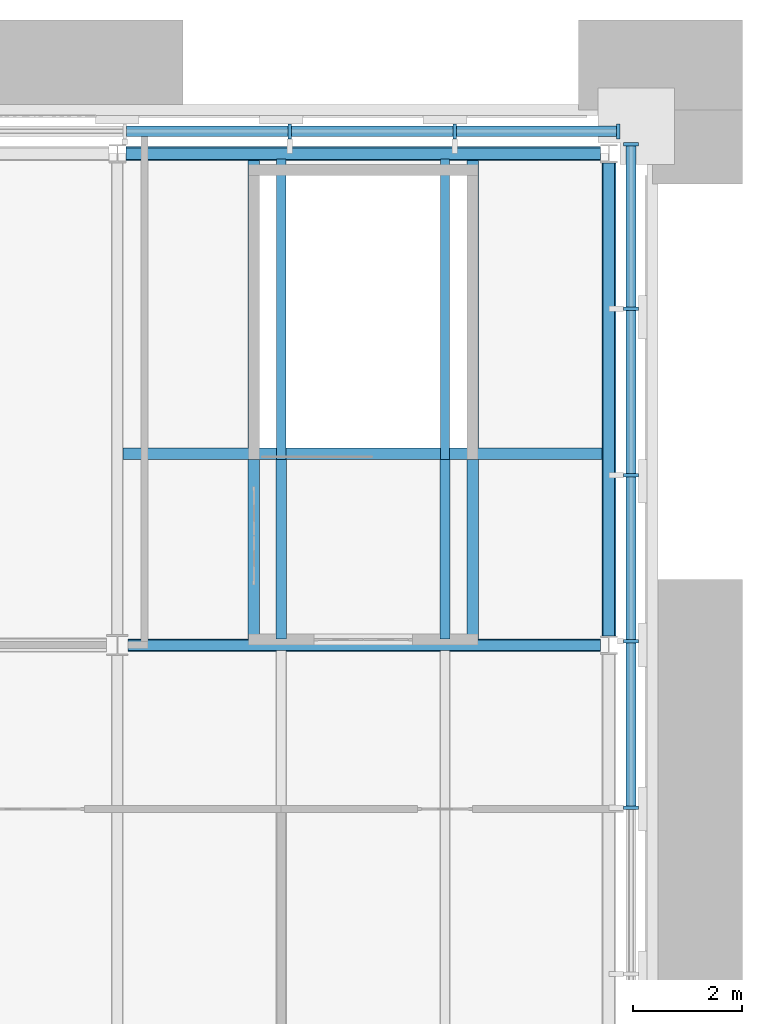
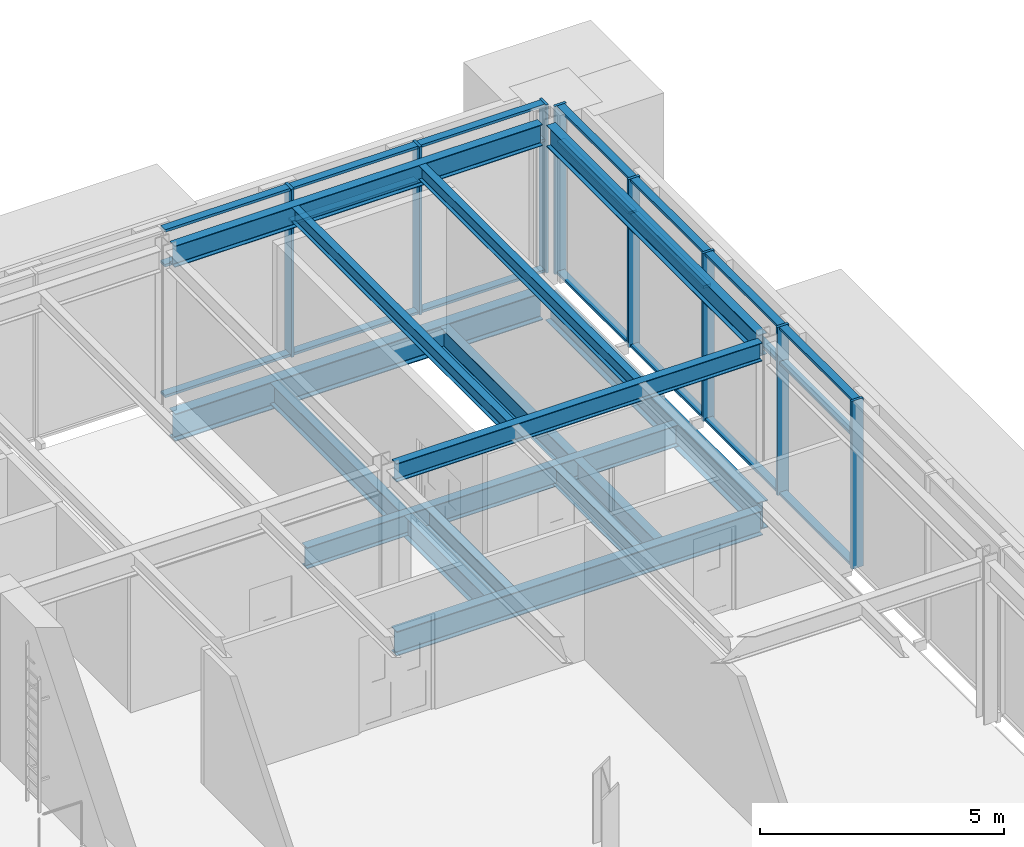
# One storey, part 9 of 24: 29 members, 15 beams, 2 elements without a shape of their own.
"""IFC4 building model written with IfcOpenShell, lengths in metres."""

import ifcopenshell
import ifcopenshell.guid

model = None  # the IFC model being written
_history = None  # IfcOwnerHistory: only IFC2X3 demands one
_inside = {}  # id of a spatial element -> (the spatial element, [elements in it])
_under = {}  # id of a project, library or spatial element -> (it, [spatial elements below it])
_declared = {}  # id of a project -> (the project, [libraries it declares])
_typed = {}  # id of a type object -> (the type object, [elements of that type])
_made_of = {}  # id of a material, layer set ... -> (it, [elements and type objects made of it])


def new_model(schema):
    """Start an empty IFC model of exactly this schema.

    Asked for "IFC4X3", IfcOpenShell would pick the latest addendum, in which some entities
    have other attributes; the version numbers below select the first issue.
    IFC2X3 requires an IfcOwnerHistory on every rooted entity: one is made here for all.
    """
    global model, _history
    if schema == "IFC4X3":
        model = ifcopenshell.file(schema_version=(4, 3, 0, 0))
    else:
        model = ifcopenshell.file(schema=schema)
    _inside.clear()
    _under.clear()
    _declared.clear()
    _typed.clear()
    _made_of.clear()
    _history = None
    if model.schema == "IFC2X3":
        org = make("IfcOrganization", Name="unknown")
        user = make(
            "IfcPersonAndOrganization",
            ThePerson=make("IfcPerson", FamilyName="unknown"),
            TheOrganization=org,
        )
        app = make(
            "IfcApplication",
            ApplicationDeveloper=org,
            Version="unknown",
            ApplicationFullName="unknown",
            ApplicationIdentifier="unknown",
        )
        _history = make(
            "IfcOwnerHistory",
            OwningUser=user,
            OwningApplication=app,
            ChangeAction="ADDED",
            CreationDate=0,
        )
    return model


def make(cls, **values):
    """One entity of the class cls with the attributes given. An attribute that is None is left unset."""
    return model.create_entity(
        cls, **{name: value for name, value in values.items() if value is not None}
    )


def rooted(cls, **values):
    """An entity with a GlobalId (a new one), such as an element, a storey or a relation."""
    return make(cls, GlobalId=ifcopenshell.guid.new(), OwnerHistory=_history, **values)


def si_unit(unit_type, name, prefix=None):
    """IfcSIUnit, for example si_unit("LENGTHUNIT", "METRE", prefix="MILLI")."""
    return make("IfcSIUnit", UnitType=unit_type, Prefix=prefix, Name=name)


def assignment(units):
    """IfcUnitAssignment: the units of a project."""
    return None if units is None else make("IfcUnitAssignment", Units=units)


def point(xyz):
    """IfcCartesianPoint."""
    return None if xyz is None else make("IfcCartesianPoint", Coordinates=xyz)


def direction(xyz):
    """IfcDirection."""
    return None if xyz is None else make("IfcDirection", DirectionRatios=xyz)


def frame(location, z_axis=None, x_axis=None):
    """IfcAxis2Placement3D, a coordinate frame: its origin and axes. An axis left out is left unset."""
    return make(
        "IfcAxis2Placement3D",
        Location=point(location),
        Axis=direction(z_axis),
        RefDirection=direction(x_axis),
    )


def frame_2d(location, x_axis=None):
    """IfcAxis2Placement2D, a coordinate frame in the plane: its origin and x axis."""
    return make(
        "IfcAxis2Placement2D", Location=point(location), RefDirection=direction(x_axis)
    )


def origin():
    """The frame at (0, 0, 0) with its axes left unset."""
    return frame((0.0, 0.0, 0.0))


def origin_2d():
    """The frame at (0, 0) in the plane with its x axis left unset."""
    return frame_2d((0.0, 0.0))


def place(relative_to, where):
    """IfcLocalPlacement: puts the frame where relative to a parent placement (None: the world)."""
    return make(
        "IfcLocalPlacement", PlacementRelTo=relative_to, RelativePlacement=where
    )


def context(
    kind, dimensions, precision=None, world=None, true_north=None, identifier=None
):
    """IfcGeometricRepresentationContext, for example the 3D "Model" context."""
    return make(
        "IfcGeometricRepresentationContext",
        ContextIdentifier=identifier,
        ContextType=kind,
        CoordinateSpaceDimension=dimensions,
        Precision=precision,
        WorldCoordinateSystem=world,
        TrueNorth=true_north,
    )


def subcontext(parent, identifier, kind, view, scale=None):
    """IfcGeometricRepresentationSubContext, for example "Body" below "Model"."""
    return make(
        "IfcGeometricRepresentationSubContext",
        ContextIdentifier=identifier,
        ContextType=kind,
        ParentContext=parent,
        TargetScale=scale,
        TargetView=view,
    )


def project(units=None, contexts=None):
    """IfcProject with its units and contexts."""
    return rooted(
        "IfcProject",
        Name="project",
        RepresentationContexts=contexts,
        UnitsInContext=assignment(units),
    )


def spatial(cls, under=None, at=None, **own):
    """A site, building, storey or space (cls), placed at a placement, below another one or the project."""
    s = rooted(cls, ObjectPlacement=at, **own)
    if under is not None:
        _under.setdefault(under.id(), (under, []))[1].append(s)
    return s


def profile(cls, at=None, kind="AREA", **sizes):
    """A parametric profile (cls). Its sizes go by their IFC names, for example OverallWidth=200.0."""
    return make(cls, ProfileType=kind, Position=at, **sizes)


def rectangle(**sizes):
    """IfcRectangleProfileDef."""
    return profile("IfcRectangleProfileDef", **sizes)


def i_section(**sizes):
    """IfcIShapeProfileDef."""
    return profile("IfcIShapeProfileDef", **sizes)


def extrude(swept, where, along, depth):
    """IfcExtrudedAreaSolid: the profile swept, set in the frame where, extruded along a direction by depth."""
    return make(
        "IfcExtrudedAreaSolid",
        SweptArea=swept,
        Position=where,
        ExtrudedDirection=direction(along),
        Depth=depth,
    )


def shape(context_of_items, identifier, shape_type, items):
    """IfcShapeRepresentation: the items that make up one representation, for example the "Body"."""
    return make(
        "IfcShapeRepresentation",
        ContextOfItems=context_of_items,
        RepresentationIdentifier=identifier,
        RepresentationType=shape_type,
        Items=items,
    )


def material(Name=None, Category=None):
    """IfcMaterial."""
    return make("IfcMaterial", Name=Name, Category=Category)


def material_profile(
    of_material, cross_section, Name=None, Category=None, Priority=None
):
    """IfcMaterialProfile: a cross section and its material."""
    return make(
        "IfcMaterialProfile",
        Name=Name,
        Material=of_material,
        Profile=cross_section,
        Priority=Priority,
        Category=Category,
    )


def profile_set(profiles, Name=None, composite=None):
    """IfcMaterialProfileSet."""
    return make(
        "IfcMaterialProfileSet",
        Name=Name,
        MaterialProfiles=profiles,
        CompositeProfile=composite,
    )


def made_of(thing, what):
    """Note that an element or type object is made of a material, layer set ...; save() writes the relation."""
    if what is not None:
        _made_of.setdefault(what.id(), (what, []))[1].append(thing)
    return thing


def type_object(cls, material=None, **own):
    """A type object (cls), such as IfcWallType, which elements share."""
    return made_of(rooted(cls, **own), material)


def element(
    cls,
    number,
    at=None,
    inside=None,
    cuts=None,
    type_object=None,
    material=None,
    context=None,
    identifier="Body",
    shape_type=None,
    held_by="IfcProductDefinitionShape",
    body=None,
    shapes=None,
    **own,
):
    """One element of the class cls, such as IfcWall. Its Tag is "e" and its number.

    at: its placement. inside: the storey or other place that contains it. cuts: it is an
    opening in that element (IfcRelVoidsElement). A single representation is given by context,
    identifier, shape_type and body (its items); several are given by shapes. held_by: the class
    of the entity that holds the representations. save() writes the other relations.
    """
    e = rooted(cls, Tag="e%d" % number, ObjectPlacement=at, **own)
    if body is not None:
        shapes = [shape(context, identifier, shape_type, body)]
    if shapes is not None:
        e.Representation = make(held_by, Representations=shapes)
    if inside is not None:
        _inside.setdefault(inside.id(), (inside, []))[1].append(e)
    if cuts is not None:
        rooted(
            "IfcRelVoidsElement", RelatingBuildingElement=cuts, RelatedOpeningElement=e
        )
    if type_object is not None:
        _typed.setdefault(type_object.id(), (type_object, []))[1].append(e)
    return made_of(e, material)


def aggregate(whole, parts):
    """IfcRelAggregates: a whole, such as a stair, and the parts it consists of."""
    return rooted("IfcRelAggregates", RelatingObject=whole, RelatedObjects=parts)


def save(model, path):
    """Write the relations noted so far, then the file.

    IfcRelAggregates (storeys below a building ...), IfcRelContainedInSpatialStructure (elements
    in a storey), IfcRelDefinesByType, IfcRelAssociatesMaterial and IfcRelDeclares: one each for
    every whole, place, type object, material and project.
    """
    for whole, parts in _under.values():
        aggregate(whole, parts)
    for where, things in _inside.values():
        rooted(
            "IfcRelContainedInSpatialStructure",
            RelatedElements=things,
            RelatingStructure=where,
        )
    for kind, things in _typed.values():
        rooted("IfcRelDefinesByType", RelatedObjects=things, RelatingType=kind)
    for what, things in _made_of.values():
        rooted("IfcRelAssociatesMaterial", RelatedObjects=things, RelatingMaterial=what)
    for by, libraries in _declared.values():
        rooted("IfcRelDeclares", RelatingContext=by, RelatedDefinitions=libraries)
    model.write(path)


model = new_model("IFC4")

# Units and contexts
model_context = context("Model", 3, precision=1e-05, world=origin(), true_north=direction((0.0, 1.0)))
body_context = subcontext(model_context, "Body", "Model", "MODEL_VIEW")
ifc_project = project(units=[si_unit("LENGTHUNIT", "METRE"), si_unit("AREAUNIT", "SQUARE_METRE"), si_unit("VOLUMEUNIT", "CUBIC_METRE"), si_unit("PLANEANGLEUNIT", "RADIAN"), si_unit("MASSUNIT", "GRAM", prefix="KILO")], contexts=[model_context])

# Site, building, storey
site_placement = place(None, origin())
site = spatial("IfcSite", under=ifc_project, at=site_placement, CompositionType="ELEMENT")
building_placement = place(site_placement, origin())
building = spatial("IfcBuilding", under=site, at=building_placement, Name="Baradari Gate Terminus", CompositionType="ELEMENT")
storey_placement = place(building_placement, frame((0.0, 0.0, 32.699951171875)))
storey = spatial("IfcBuildingStorey", under=building, at=storey_placement, Name="L07", CompositionType="ELEMENT", Elevation=32.699951171875)

# Curtain wall, members
ifc_material_1 = material(Name="Aluminium 6063-T6", Category="aluminium")
curtain_wall_type = type_object("IfcCurtainWallType", Name="Curtain wall CW-12 block arcade floors, L06-L07", PredefinedType="NOTDEFINED", material=ifc_material_1)
curtain_wall_1_placement = place(storey_placement, origin())
curtain_wall_1 = element("IfcCurtainWall", 1, at=curtain_wall_1_placement, inside=storey, type_object=curtain_wall_type, Name="Curtain wall CW-12 Operations block E face L07", PredefinedType="NOTDEFINED")
ifc_material_2 = material(Name="Aluminium 6063-T6", Category="aluminium")
ifc_material_profile_1 = material_profile(ifc_material_2, rectangle(XDim=0.27490234375, YDim=0.06494140625, at=origin_2d()), Name="CM-12 65X275")
ifc_profile_set_1 = profile_set([ifc_material_profile_1], Name="Aluminium 6063-T6")
member_type_1 = type_object("IfcMemberType", Name="Curtain wall mullion CM-12 65x275", PredefinedType="MULLION", material=ifc_profile_set_1)
member_1_placement = place(storey_placement, frame((63.407470703125, 132.022216796875, 0.0), z_axis=(0.0, 0.0, 1.0), x_axis=(-1.0, 0.0, 0.0)))
member_1 = element("IfcMember", 2, at=member_1_placement, type_object=member_type_1, Name="CW-12 mullion 6", PredefinedType="MULLION", context=body_context, shape_type="SweptSolid", body=[
    extrude(rectangle(XDim=0.27490234375, YDim=0.06494140625, at=origin_2d()), origin(), (0.0, 0.0, 1.0), 4.199951171875),
])
member_2_placement = place(storey_placement, frame((63.407470703125, 135.066650390625, 0.0), z_axis=(0.0, 0.0, 1.0), x_axis=(-1.0, 0.0, 0.0)))
member_2 = element("IfcMember", 3, at=member_2_placement, type_object=member_type_1, Name="CW-12 mullion 7", PredefinedType="MULLION", context=body_context, shape_type="SweptSolid", body=[
    extrude(rectangle(XDim=0.27490234375, YDim=0.06494140625, at=origin_2d()), origin(), (0.0, 0.0, 1.0), 4.199951171875),
])
member_3_placement = place(storey_placement, frame((63.407470703125, 138.111083984375, 0.0), z_axis=(0.0, 0.0, 1.0), x_axis=(-1.0, 0.0, 0.0)))
member_3 = element("IfcMember", 4, at=member_3_placement, type_object=member_type_1, Name="CW-12 mullion 8", PredefinedType="MULLION", context=body_context, shape_type="SweptSolid", body=[
    extrude(rectangle(XDim=0.27490234375, YDim=0.06494140625, at=origin_2d()), origin(), (0.0, 0.0, 1.0), 4.199951171875),
])
member_4_placement = place(storey_placement, frame((63.407470703125, 141.155517578125, 0.0), z_axis=(0.0, 0.0, 1.0), x_axis=(-1.0, 0.0, 0.0)))
member_4 = element("IfcMember", 5, at=member_4_placement, type_object=member_type_1, Name="CW-12 mullion 9", PredefinedType="MULLION", context=body_context, shape_type="SweptSolid", body=[
    extrude(rectangle(XDim=0.27490234375, YDim=0.06494140625, at=origin_2d()), origin(), (0.0, 0.0, 1.0), 4.199951171875),
])
member_5_placement = place(storey_placement, frame((63.407470703125, 144.16748046875, 0.0), z_axis=(0.0, 0.0, 1.0), x_axis=(-1.0, 0.0, 0.0)))
member_5 = element("IfcMember", 6, at=member_5_placement, type_object=member_type_1, Name="CW-12 mullion 10", PredefinedType="MULLION", context=body_context, shape_type="SweptSolid", body=[
    extrude(rectangle(XDim=0.27490234375, YDim=0.06494140625, at=origin_2d()), origin(), (0.0, 0.0, 1.0), 4.199951171875),
])

curtain_wall_2_placement = place(storey_placement, origin())
curtain_wall_2 = element("IfcCurtainWall", 7, at=curtain_wall_2_placement, inside=storey, type_object=curtain_wall_type, Name="Curtain wall CW-12 Operations block N face L07", PredefinedType="NOTDEFINED")
member_6_placement = place(storey_placement, frame((63.16748046875, 144.407470703125, 0.0), z_axis=(0.0, 0.0, 1.0), x_axis=(0.0, -1.0, 0.0)))
member_6 = element("IfcMember", 8, at=member_6_placement, type_object=member_type_1, Name="CW-12 mullion 1", PredefinedType="MULLION", context=body_context, shape_type="SweptSolid", body=[
    extrude(rectangle(XDim=0.27490234375, YDim=0.06494140625, at=origin_2d()), origin(), (0.0, 0.0, 1.0), 4.199951171875),
])
member_7_placement = place(storey_placement, frame((60.177734375, 144.407470703125, 0.0), z_axis=(0.0, 0.0, 1.0), x_axis=(0.0, -1.0, 0.0)))
member_7 = element("IfcMember", 9, at=member_7_placement, type_object=member_type_1, Name="CW-12 mullion 2", PredefinedType="MULLION", context=body_context, shape_type="SweptSolid", body=[
    extrude(rectangle(XDim=0.27490234375, YDim=0.06494140625, at=origin_2d()), origin(), (0.0, 0.0, 1.0), 4.199951171875),
])
member_8_placement = place(storey_placement, frame((57.155517578125, 144.407470703125, 0.0), z_axis=(0.0, 0.0, 1.0), x_axis=(0.0, -1.0, 0.0)))
member_8 = element("IfcMember", 10, at=member_8_placement, type_object=member_type_1, Name="CW-12 mullion 3", PredefinedType="MULLION", context=body_context, shape_type="SweptSolid", body=[
    extrude(rectangle(XDim=0.27490234375, YDim=0.06494140625, at=origin_2d()), origin(), (0.0, 0.0, 1.0), 4.199951171875),
])

# Member
ifc_material_3 = material(Name="Aluminium 6063-T6", Category="aluminium")
ifc_material_profile_2 = material_profile(ifc_material_3, rectangle(XDim=0.18505859375, YDim=0.06494140625, at=origin_2d()), Name="CT-12 65X185")
ifc_profile_set_2 = profile_set([ifc_material_profile_2], Name="Aluminium 6063-T6")
member_type_2 = type_object("IfcMemberType", Name="Curtain wall transom CT-12 65x185", PredefinedType="USERDEFINED", material=ifc_profile_set_2)
member_9_placement = place(storey_placement, frame((63.407470703125, 132.0546875, 0.032470703125), z_axis=(0.0, 1.0, 0.0), x_axis=(-1.0, 0.0, 0.0)))
member_9 = element("IfcMember", 11, at=member_9_placement, type_object=member_type_2, Name="CW-12 transom 6.1", ObjectType="TRANSOM", PredefinedType="USERDEFINED", context=body_context, shape_type="SweptSolid", body=[
    extrude(rectangle(XDim=0.18505859375, YDim=0.06494140625, at=origin_2d()), origin(), (0.0, 0.0, 1.0), 2.9794921875),
])

member_10_placement = place(storey_placement, frame((63.407470703125, 132.0546875, 3.300048828125), z_axis=(0.0, 1.0, 0.0), x_axis=(-1.0, 0.0, 0.0)))
member_10 = element("IfcMember", 12, at=member_10_placement, type_object=member_type_2, Name="CW-12 transom 6.2", ObjectType="TRANSOM", PredefinedType="USERDEFINED", context=body_context, shape_type="SweptSolid", body=[
    extrude(rectangle(XDim=0.18505859375, YDim=0.06494140625, at=origin_2d()), origin(), (0.0, 0.0, 1.0), 2.9794921875),
])

member_11_placement = place(storey_placement, frame((63.407470703125, 132.0546875, 4.16748046875), z_axis=(0.0, 1.0, 0.0), x_axis=(-1.0, 0.0, 0.0)))
member_11 = element("IfcMember", 13, at=member_11_placement, type_object=member_type_2, Name="CW-12 transom 6.3", ObjectType="TRANSOM", PredefinedType="USERDEFINED", context=body_context, shape_type="SweptSolid", body=[
    extrude(rectangle(XDim=0.18505859375, YDim=0.06494140625, at=origin_2d()), origin(), (0.0, 0.0, 1.0), 2.9794921875),
])

member_12_placement = place(storey_placement, frame((63.407470703125, 135.09912109375, 0.032470703125), z_axis=(0.0, 1.0, 0.0), x_axis=(-1.0, 0.0, 0.0)))
member_12 = element("IfcMember", 14, at=member_12_placement, type_object=member_type_2, Name="CW-12 transom 7.1", ObjectType="TRANSOM", PredefinedType="USERDEFINED", context=body_context, shape_type="SweptSolid", body=[
    extrude(rectangle(XDim=0.18505859375, YDim=0.06494140625, at=origin_2d()), origin(), (0.0, 0.0, 1.0), 2.9794921875),
])

member_13_placement = place(storey_placement, frame((63.407470703125, 135.09912109375, 3.300048828125), z_axis=(0.0, 1.0, 0.0), x_axis=(-1.0, 0.0, 0.0)))
member_13 = element("IfcMember", 15, at=member_13_placement, type_object=member_type_2, Name="CW-12 transom 7.2", ObjectType="TRANSOM", PredefinedType="USERDEFINED", context=body_context, shape_type="SweptSolid", body=[
    extrude(rectangle(XDim=0.18505859375, YDim=0.06494140625, at=origin_2d()), origin(), (0.0, 0.0, 1.0), 2.9794921875),
])

member_14_placement = place(storey_placement, frame((63.407470703125, 135.09912109375, 4.16748046875), z_axis=(0.0, 1.0, 0.0), x_axis=(-1.0, 0.0, 0.0)))
member_14 = element("IfcMember", 16, at=member_14_placement, type_object=member_type_2, Name="CW-12 transom 7.3", ObjectType="TRANSOM", PredefinedType="USERDEFINED", context=body_context, shape_type="SweptSolid", body=[
    extrude(rectangle(XDim=0.18505859375, YDim=0.06494140625, at=origin_2d()), origin(), (0.0, 0.0, 1.0), 2.9794921875),
])

member_15_placement = place(storey_placement, frame((63.407470703125, 138.1435546875, 0.032470703125), z_axis=(0.0, 1.0, 0.0), x_axis=(-1.0, 0.0, 0.0)))
member_15 = element("IfcMember", 17, at=member_15_placement, type_object=member_type_2, Name="CW-12 transom 8.1", ObjectType="TRANSOM", PredefinedType="USERDEFINED", context=body_context, shape_type="SweptSolid", body=[
    extrude(rectangle(XDim=0.18505859375, YDim=0.06494140625, at=origin_2d()), origin(), (0.0, 0.0, 1.0), 2.9794921875),
])

member_16_placement = place(storey_placement, frame((63.407470703125, 138.1435546875, 3.300048828125), z_axis=(0.0, 1.0, 0.0), x_axis=(-1.0, 0.0, 0.0)))
member_16 = element("IfcMember", 18, at=member_16_placement, type_object=member_type_2, Name="CW-12 transom 8.2", ObjectType="TRANSOM", PredefinedType="USERDEFINED", context=body_context, shape_type="SweptSolid", body=[
    extrude(rectangle(XDim=0.18505859375, YDim=0.06494140625, at=origin_2d()), origin(), (0.0, 0.0, 1.0), 2.9794921875),
])

member_17_placement = place(storey_placement, frame((63.407470703125, 138.1435546875, 4.16748046875), z_axis=(0.0, 1.0, 0.0), x_axis=(-1.0, 0.0, 0.0)))
member_17 = element("IfcMember", 19, at=member_17_placement, type_object=member_type_2, Name="CW-12 transom 8.3", ObjectType="TRANSOM", PredefinedType="USERDEFINED", context=body_context, shape_type="SweptSolid", body=[
    extrude(rectangle(XDim=0.18505859375, YDim=0.06494140625, at=origin_2d()), origin(), (0.0, 0.0, 1.0), 2.9794921875),
])

member_18_placement = place(storey_placement, frame((63.407470703125, 141.18798828125, 0.032470703125), z_axis=(0.0, 1.0, 0.0), x_axis=(-1.0, 0.0, 0.0)))
member_18 = element("IfcMember", 20, at=member_18_placement, type_object=member_type_2, Name="CW-12 transom 9.1", ObjectType="TRANSOM", PredefinedType="USERDEFINED", context=body_context, shape_type="SweptSolid", body=[
    extrude(rectangle(XDim=0.18505859375, YDim=0.06494140625, at=origin_2d()), origin(), (0.0, 0.0, 1.0), 2.947021484375),
])

member_19_placement = place(storey_placement, frame((63.407470703125, 141.18798828125, 3.300048828125), z_axis=(0.0, 1.0, 0.0), x_axis=(-1.0, 0.0, 0.0)))
member_19 = element("IfcMember", 21, at=member_19_placement, type_object=member_type_2, Name="CW-12 transom 9.2", ObjectType="TRANSOM", PredefinedType="USERDEFINED", context=body_context, shape_type="SweptSolid", body=[
    extrude(rectangle(XDim=0.18505859375, YDim=0.06494140625, at=origin_2d()), origin(), (0.0, 0.0, 1.0), 2.947021484375),
])

member_20_placement = place(storey_placement, frame((63.407470703125, 141.18798828125, 4.16748046875), z_axis=(0.0, 1.0, 0.0), x_axis=(-1.0, 0.0, 0.0)))
member_20 = element("IfcMember", 22, at=member_20_placement, type_object=member_type_2, Name="CW-12 transom 9.3", ObjectType="TRANSOM", PredefinedType="USERDEFINED", context=body_context, shape_type="SweptSolid", body=[
    extrude(rectangle(XDim=0.18505859375, YDim=0.06494140625, at=origin_2d()), origin(), (0.0, 0.0, 1.0), 2.947021484375),
])

aggregate(curtain_wall_1, [member_1, member_2, member_3, member_4, member_5, member_9, member_10, member_11, member_12, member_13, member_14, member_15, member_16, member_17, member_18, member_19, member_20])

member_21_placement = place(storey_placement, frame((63.135009765625, 144.407470703125, 0.032470703125), z_axis=(-1.0, 0.0, 0.0), x_axis=(0.0, -1.0, 0.0)))
member_21 = element("IfcMember", 23, at=member_21_placement, type_object=member_type_2, Name="CW-12 transom 1.1", ObjectType="TRANSOM", PredefinedType="USERDEFINED", context=body_context, shape_type="SweptSolid", body=[
    extrude(rectangle(XDim=0.18505859375, YDim=0.06494140625, at=origin_2d()), origin(), (0.0, 0.0, 1.0), 2.9248046875),
])

member_22_placement = place(storey_placement, frame((63.135009765625, 144.407470703125, 3.300048828125), z_axis=(-1.0, 0.0, 0.0), x_axis=(0.0, -1.0, 0.0)))
member_22 = element("IfcMember", 24, at=member_22_placement, type_object=member_type_2, Name="CW-12 transom 1.2", ObjectType="TRANSOM", PredefinedType="USERDEFINED", context=body_context, shape_type="SweptSolid", body=[
    extrude(rectangle(XDim=0.18505859375, YDim=0.06494140625, at=origin_2d()), origin(), (0.0, 0.0, 1.0), 2.9248046875),
])

member_23_placement = place(storey_placement, frame((63.135009765625, 144.407470703125, 4.16748046875), z_axis=(-1.0, 0.0, 0.0), x_axis=(0.0, -1.0, 0.0)))
member_23 = element("IfcMember", 25, at=member_23_placement, type_object=member_type_2, Name="CW-12 transom 1.3", ObjectType="TRANSOM", PredefinedType="USERDEFINED", context=body_context, shape_type="SweptSolid", body=[
    extrude(rectangle(XDim=0.18505859375, YDim=0.06494140625, at=origin_2d()), origin(), (0.0, 0.0, 1.0), 2.9248046875),
])

member_24_placement = place(storey_placement, frame((60.145263671875, 144.407470703125, 0.032470703125), z_axis=(-1.0, 0.0, 0.0), x_axis=(0.0, -1.0, 0.0)))
member_24 = element("IfcMember", 26, at=member_24_placement, type_object=member_type_2, Name="CW-12 transom 2.1", ObjectType="TRANSOM", PredefinedType="USERDEFINED", context=body_context, shape_type="SweptSolid", body=[
    extrude(rectangle(XDim=0.18505859375, YDim=0.06494140625, at=origin_2d()), origin(), (0.0, 0.0, 1.0), 2.957275390625),
])

member_25_placement = place(storey_placement, frame((60.145263671875, 144.407470703125, 3.300048828125), z_axis=(-1.0, 0.0, 0.0), x_axis=(0.0, -1.0, 0.0)))
member_25 = element("IfcMember", 27, at=member_25_placement, type_object=member_type_2, Name="CW-12 transom 2.2", ObjectType="TRANSOM", PredefinedType="USERDEFINED", context=body_context, shape_type="SweptSolid", body=[
    extrude(rectangle(XDim=0.18505859375, YDim=0.06494140625, at=origin_2d()), origin(), (0.0, 0.0, 1.0), 2.957275390625),
])

member_26_placement = place(storey_placement, frame((60.145263671875, 144.407470703125, 4.16748046875), z_axis=(-1.0, 0.0, 0.0), x_axis=(0.0, -1.0, 0.0)))
member_26 = element("IfcMember", 28, at=member_26_placement, type_object=member_type_2, Name="CW-12 transom 2.3", ObjectType="TRANSOM", PredefinedType="USERDEFINED", context=body_context, shape_type="SweptSolid", body=[
    extrude(rectangle(XDim=0.18505859375, YDim=0.06494140625, at=origin_2d()), origin(), (0.0, 0.0, 1.0), 2.957275390625),
])

member_27_placement = place(storey_placement, frame((57.123046875, 144.407470703125, 0.032470703125), z_axis=(-1.0, 0.0, 0.0), x_axis=(0.0, -1.0, 0.0)))
member_27 = element("IfcMember", 29, at=member_27_placement, type_object=member_type_2, Name="CW-12 transom 3.1", ObjectType="TRANSOM", PredefinedType="USERDEFINED", context=body_context, shape_type="SweptSolid", body=[
    extrude(rectangle(XDim=0.18505859375, YDim=0.06494140625, at=origin_2d()), origin(), (0.0, 0.0, 1.0), 2.957275390625),
])

member_28_placement = place(storey_placement, frame((57.123046875, 144.407470703125, 3.300048828125), z_axis=(-1.0, 0.0, 0.0), x_axis=(0.0, -1.0, 0.0)))
member_28 = element("IfcMember", 30, at=member_28_placement, type_object=member_type_2, Name="CW-12 transom 3.2", ObjectType="TRANSOM", PredefinedType="USERDEFINED", context=body_context, shape_type="SweptSolid", body=[
    extrude(rectangle(XDim=0.18505859375, YDim=0.06494140625, at=origin_2d()), origin(), (0.0, 0.0, 1.0), 2.957275390625),
])

member_29_placement = place(storey_placement, frame((57.123046875, 144.407470703125, 4.16748046875), z_axis=(-1.0, 0.0, 0.0), x_axis=(0.0, -1.0, 0.0)))
member_29 = element("IfcMember", 31, at=member_29_placement, type_object=member_type_2, Name="CW-12 transom 3.3", ObjectType="TRANSOM", PredefinedType="USERDEFINED", context=body_context, shape_type="SweptSolid", body=[
    extrude(rectangle(XDim=0.18505859375, YDim=0.06494140625, at=origin_2d()), origin(), (0.0, 0.0, 1.0), 2.957275390625),
])

aggregate(curtain_wall_2, [member_6, member_7, member_8, member_21, member_22, member_23, member_24, member_25, member_26, member_27, member_28, member_29])

# Beams
ifc_material_4 = material(Name="Steel S355", Category="steel")
ifc_material_profile_3 = material_profile(ifc_material_4, i_section(OverallWidth=0.22900390625, OverallDepth=0.6123046875, WebThickness=0.011962890625, FlangeThickness=0.01953125, FilletRadius=0.0126953125, at=origin_2d()), Name="UB 610x229x125")
ifc_profile_set_3 = profile_set([ifc_material_profile_3], Name="Steel S355")
beam_type_1 = type_object("IfcBeamType", Name="Operations block girder B25 UB 610x229x125", PredefinedType="BEAM", material=ifc_profile_set_3)
beam_1_placement = place(storey_placement, frame((54.197509765625, 135.0, -0.43603515625), z_axis=(1.0, 0.0, 0.0), x_axis=(0.0, 1.0, 0.0)))
element("IfcBeam", 32, at=beam_1_placement, inside=storey, type_object=beam_type_1, Name="Operations block girder B25 R:54.197-62.843 L07", PredefinedType="BEAM", context=body_context, shape_type="SweptSolid", body=[
    extrude(i_section(OverallWidth=0.22900390625, OverallDepth=0.6123046875, WebThickness=0.011962890625, FlangeThickness=0.01953125, FilletRadius=0.0126953125, at=origin_2d()), origin(), (0.0, 0.0, 1.0), 8.645263671875),
])
ifc_material_5 = material(Name="Steel S355", Category="steel")
ifc_material_profile_4 = material_profile(ifc_material_5, i_section(OverallWidth=0.25439453125, OverallDepth=0.6875, WebThickness=0.01318359375, FlangeThickness=0.02099609375, FilletRadius=0.01513671875, at=origin_2d()), Name="UB 686x254x152")
ifc_profile_set_4 = profile_set([ifc_material_profile_4], Name="Steel S355")
beam_type_2 = type_object("IfcBeamType", Name="Operations block moment frame beam B32 UB 686x254x152", PredefinedType="BEAM", material=ifc_profile_set_4)
beam_2_placement = place(storey_placement, frame((54.1572265625, 144.0, -0.4736328125), z_axis=(1.0, 0.0, 0.0), x_axis=(0.0, 1.0, 0.0)))
element("IfcBeam", 33, at=beam_2_placement, inside=storey, type_object=beam_type_2, Name="Operations block moment frame beam B32 S:54.157-62.843 L07", PredefinedType="BEAM", context=body_context, shape_type="SweptSolid", body=[
    extrude(i_section(OverallWidth=0.25439453125, OverallDepth=0.6875, WebThickness=0.01318359375, FlangeThickness=0.02099609375, FilletRadius=0.01513671875, at=origin_2d()), origin(), (0.0, 0.0, 1.0), 8.685546875),
])
beam_3_placement = place(storey_placement, frame((63.0, 135.169921875, -0.4736328125), z_axis=(0.0, 1.0, 0.0), x_axis=(-1.0, 0.0, 0.0)))
element("IfcBeam", 34, at=beam_3_placement, inside=storey, type_object=beam_type_2, Name="Operations block moment frame beam B32 8:135.17-143.83 L07", PredefinedType="BEAM", context=body_context, shape_type="SweptSolid", body=[
    extrude(i_section(OverallWidth=0.25439453125, OverallDepth=0.6875, WebThickness=0.01318359375, FlangeThickness=0.02099609375, FilletRadius=0.01513671875, at=origin_2d()), origin(), (0.0, 0.0, 1.0), 8.66015625),
])
ifc_material_6 = material(Name="Steel S355", Category="steel")
ifc_material_profile_5 = material_profile(ifc_material_6, i_section(OverallWidth=0.209228515625, OverallDepth=0.533203125, WebThickness=0.010009765625, FlangeThickness=0.015625, FilletRadius=0.0126953125, at=origin_2d()), Name="UB 533x210x92")
ifc_profile_set_5 = profile_set([ifc_material_profile_5], Name="Steel S355")
beam_type_3 = type_object("IfcBeamType", Name="Operations block roof edge beam B43 UB 533x210x92", PredefinedType="BEAM", material=ifc_profile_set_5)
beam_4_placement = place(storey_placement, frame((54.1572265625, 144.0, 3.783447265625), z_axis=(1.0, 0.0, 0.0), x_axis=(0.0, 1.0, 0.0)))
element("IfcBeam", 35, at=beam_4_placement, inside=storey, type_object=beam_type_3, Name="Operations block roof edge beam B43 S:54.157-62.843 L07", PredefinedType="BEAM", context=body_context, shape_type="SweptSolid", body=[
    extrude(i_section(OverallWidth=0.209228515625, OverallDepth=0.533203125, WebThickness=0.010009765625, FlangeThickness=0.015625, FilletRadius=0.0126953125, at=origin_2d()), origin(), (0.0, 0.0, 1.0), 8.685546875),
])
beam_5_placement = place(storey_placement, frame((63.0, 135.169921875, 3.783447265625), z_axis=(0.0, 1.0, 0.0), x_axis=(-1.0, 0.0, 0.0)))
element("IfcBeam", 36, at=beam_5_placement, inside=storey, type_object=beam_type_3, Name="Operations block roof edge beam B43 8:135.17-143.83 L07", PredefinedType="BEAM", context=body_context, shape_type="SweptSolid", body=[
    extrude(i_section(OverallWidth=0.209228515625, OverallDepth=0.533203125, WebThickness=0.010009765625, FlangeThickness=0.015625, FilletRadius=0.0126953125, at=origin_2d()), origin(), (0.0, 0.0, 1.0), 8.66015625),
])
ifc_material_7 = material(Name="Steel S355", Category="steel")
ifc_material_profile_6 = material_profile(ifc_material_7, i_section(OverallWidth=0.19140625, OverallDepth=0.4599609375, WebThickness=0.010009765625, FlangeThickness=0.01611328125, FilletRadius=0.01025390625, at=origin_2d()), Name="UB 457x191x82")
ifc_profile_set_6 = profile_set([ifc_material_profile_6], Name="Steel S355")
beam_type_4 = type_object("IfcBeamType", Name="Operations block roof girder B44 UB 457x191x82", PredefinedType="BEAM", material=ifc_profile_set_6)
beam_6_placement = place(storey_placement, frame((54.197509765625, 135.0, 3.820068359375), z_axis=(1.0, 0.0, 0.0), x_axis=(0.0, 1.0, 0.0)))
element("IfcBeam", 37, at=beam_6_placement, inside=storey, type_object=beam_type_4, Name="Operations block roof girder B44 R:54.197-62.843 L07", PredefinedType="BEAM", context=body_context, shape_type="SweptSolid", body=[
    extrude(i_section(OverallWidth=0.19140625, OverallDepth=0.4599609375, WebThickness=0.010009765625, FlangeThickness=0.01611328125, FilletRadius=0.01025390625, at=origin_2d()), origin(), (0.0, 0.0, 1.0), 8.645263671875),
])
ifc_material_8 = material(Name="Steel S355", Category="steel")
ifc_material_profile_7 = material_profile(ifc_material_8, i_section(OverallWidth=0.17138671875, OverallDepth=0.35498046875, WebThickness=0.00732421875, FlangeThickness=0.011474609375, FilletRadius=0.01025390625, at=origin_2d()), Name="UB 356x171x51")
ifc_profile_set_7 = profile_set([ifc_material_profile_7], Name="Steel S355")
beam_type_5 = type_object("IfcBeamType", Name="Operations block roof secondary beam B46 UB 356x171x51", PredefinedType="BEAM", material=ifc_profile_set_7)
for number, where, z_axis, x_axis, name in (
    (38, (57.0, 135.095703125, 3.87255859375), (0.0, 1.0, 0.0), (-1.0, 0.0, 0.0), "Operations block roof secondary beam B46 57:135.096-143.895 L07"),
    (39, (60.0, 135.095703125, 3.87255859375), (0.0, 1.0, 0.0), (-1.0, 0.0, 0.0), "Operations block roof secondary beam B46 60:135.096-143.895 L07"),
):
    element("IfcBeam", number, at=place(storey_placement, frame(where, z_axis=z_axis, x_axis=x_axis)), inside=storey, type_object=beam_type_5, Name=name, PredefinedType="BEAM", context=body_context, shape_type="SweptSolid", body=[
        extrude(i_section(OverallWidth=0.17138671875, OverallDepth=0.35498046875, WebThickness=0.00732421875, FlangeThickness=0.011474609375, FilletRadius=0.01025390625, at=origin_2d()), origin(), (0.0, 0.0, 1.0), 8.7998046875),
    ])
ifc_material_9 = material(Name="Steel S355", Category="steel")
ifc_material_profile_8 = material_profile(ifc_material_9, i_section(OverallWidth=0.18994140625, OverallDepth=0.453369140625, WebThickness=0.008544921875, FlangeThickness=0.0126953125, FilletRadius=0.01025390625, at=origin_2d()), Name="UB 457x191x67")
ifc_profile_set_8 = profile_set([ifc_material_profile_8], Name="Steel S355")
beam_type_6 = type_object("IfcBeamType", Name="Operations block secondary beam B28 UB 457x191x67", PredefinedType="BEAM", material=ifc_profile_set_8)
for number, where, z_axis, x_axis, name in (
    (40, (57.0, 135.114501953125, -0.356689453125), (0.0, 1.0, 0.0), (-1.0, 0.0, 0.0), "Operations block secondary beam B28 57:135.114-138.395 L07"),
    (41, (60.0, 135.114501953125, -0.356689453125), (0.0, 1.0, 0.0), (-1.0, 0.0, 0.0), "Operations block secondary beam B28 60:135.114-138.395 L07"),
):
    element("IfcBeam", number, at=place(storey_placement, frame(where, z_axis=z_axis, x_axis=x_axis)), inside=storey, type_object=beam_type_6, Name=name, PredefinedType="BEAM", context=body_context, shape_type="SweptSolid", body=[
        extrude(i_section(OverallWidth=0.18994140625, OverallDepth=0.453369140625, WebThickness=0.008544921875, FlangeThickness=0.0126953125, FilletRadius=0.01025390625, at=origin_2d()), origin(), (0.0, 0.0, 1.0), 3.281005859375),
    ])
ifc_material_10 = material(Name="Steel S355", Category="steel")
ifc_material_profile_9 = material_profile(ifc_material_10, i_section(OverallWidth=0.209228515625, OverallDepth=0.533203125, WebThickness=0.010009765625, FlangeThickness=0.015625, FilletRadius=0.0126953125, at=origin_2d()), Name="UB 533x210x92")
ifc_profile_set_9 = profile_set([ifc_material_profile_9], Name="Steel S355")
beam_type_7 = type_object("IfcBeamType", Name="Operations block trimmer beam B27 UB 533x210x92", PredefinedType="BEAM", material=ifc_profile_set_9)
beam_7_placement = place(storey_placement, frame((54.10546875, 138.5, -0.396484375), z_axis=(1.0, 0.0, 0.0), x_axis=(0.0, 1.0, 0.0)))
element("IfcBeam", 42, at=beam_7_placement, inside=storey, type_object=beam_type_7, Name="Operations block trimmer beam B27 138.5:54.105-62.873 L07", PredefinedType="BEAM", context=body_context, shape_type="SweptSolid", body=[
    extrude(i_section(OverallWidth=0.209228515625, OverallDepth=0.533203125, WebThickness=0.010009765625, FlangeThickness=0.015625, FilletRadius=0.0126953125, at=origin_2d()), origin(), (0.0, 0.0, 1.0), 8.767333984375),
])
beam_8_placement = place(storey_placement, frame((56.4951171875, 135.114501953125, -0.396484375), z_axis=(0.0, 1.0, 0.0), x_axis=(-1.0, 0.0, 0.0)))
element("IfcBeam", 43, at=beam_8_placement, inside=storey, type_object=beam_type_7, Name="Operations block trimmer beam B27 56.495:135.114-138.395 L07", PredefinedType="BEAM", context=body_context, shape_type="SweptSolid", body=[
    extrude(i_section(OverallWidth=0.209228515625, OverallDepth=0.533203125, WebThickness=0.010009765625, FlangeThickness=0.015625, FilletRadius=0.0126953125, at=origin_2d()), origin(), (0.0, 0.0, 1.0), 3.281005859375),
])
beam_9_placement = place(storey_placement, frame((56.4951171875, 138.6044921875, -0.396484375), z_axis=(0.0, 1.0, 0.0), x_axis=(-1.0, 0.0, 0.0)))
element("IfcBeam", 44, at=beam_9_placement, inside=storey, type_object=beam_type_7, Name="Operations block trimmer beam B27 56.495:138.605-143.873 L07", PredefinedType="BEAM", context=body_context, shape_type="SweptSolid", body=[
    extrude(i_section(OverallWidth=0.209228515625, OverallDepth=0.533203125, WebThickness=0.010009765625, FlangeThickness=0.015625, FilletRadius=0.0126953125, at=origin_2d()), origin(), (0.0, 0.0, 1.0), 5.268310546875),
])
beam_10_placement = place(storey_placement, frame((60.5048828125, 135.114501953125, -0.396484375), z_axis=(0.0, 1.0, 0.0), x_axis=(-1.0, 0.0, 0.0)))
element("IfcBeam", 45, at=beam_10_placement, inside=storey, type_object=beam_type_7, Name="Operations block trimmer beam B27 60.505:135.114-138.395 L07", PredefinedType="BEAM", context=body_context, shape_type="SweptSolid", body=[
    extrude(i_section(OverallWidth=0.209228515625, OverallDepth=0.533203125, WebThickness=0.010009765625, FlangeThickness=0.015625, FilletRadius=0.0126953125, at=origin_2d()), origin(), (0.0, 0.0, 1.0), 3.281005859375),
])
beam_11_placement = place(storey_placement, frame((60.5048828125, 138.6044921875, -0.396484375), z_axis=(0.0, 1.0, 0.0), x_axis=(-1.0, 0.0, 0.0)))
element("IfcBeam", 46, at=beam_11_placement, inside=storey, type_object=beam_type_7, Name="Operations block trimmer beam B27 60.505:138.605-143.873 L07", PredefinedType="BEAM", context=body_context, shape_type="SweptSolid", body=[
    extrude(i_section(OverallWidth=0.209228515625, OverallDepth=0.533203125, WebThickness=0.010009765625, FlangeThickness=0.015625, FilletRadius=0.0126953125, at=origin_2d()), origin(), (0.0, 0.0, 1.0), 5.268310546875),
])

save(model, "model.ifc")
